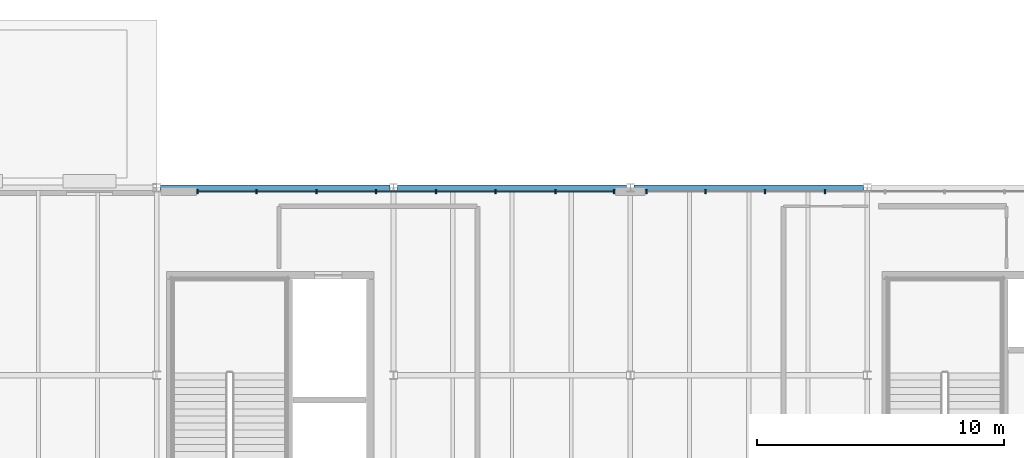
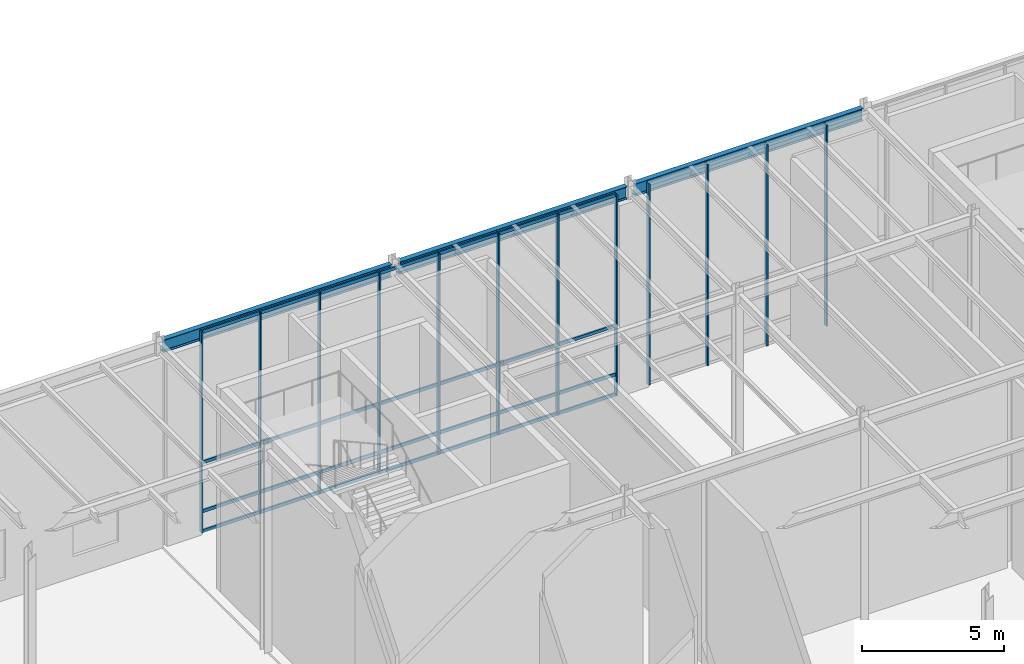
# One storey, part 19 of 48: 16 members, 3 beams, 2 elements without a shape of their own.
"""IFC4 building model written with IfcOpenShell, lengths in metres."""

import ifcopenshell
import ifcopenshell.guid

model = None  # the IFC model being written
_history = None  # IfcOwnerHistory: only IFC2X3 demands one
_inside = {}  # id of a spatial element -> (the spatial element, [elements in it])
_under = {}  # id of a project, library or spatial element -> (it, [spatial elements below it])
_declared = {}  # id of a project -> (the project, [libraries it declares])
_typed = {}  # id of a type object -> (the type object, [elements of that type])
_made_of = {}  # id of a material, layer set ... -> (it, [elements and type objects made of it])


def new_model(schema):
    """Start an empty IFC model of exactly this schema.

    Asked for "IFC4X3", IfcOpenShell would pick the latest addendum, in which some entities
    have other attributes; the version numbers below select the first issue.
    IFC2X3 requires an IfcOwnerHistory on every rooted entity: one is made here for all.
    """
    global model, _history
    if schema == "IFC4X3":
        model = ifcopenshell.file(schema_version=(4, 3, 0, 0))
    else:
        model = ifcopenshell.file(schema=schema)
    _inside.clear()
    _under.clear()
    _declared.clear()
    _typed.clear()
    _made_of.clear()
    _history = None
    if model.schema == "IFC2X3":
        org = make("IfcOrganization", Name="unknown")
        user = make(
            "IfcPersonAndOrganization",
            ThePerson=make("IfcPerson", FamilyName="unknown"),
            TheOrganization=org,
        )
        app = make(
            "IfcApplication",
            ApplicationDeveloper=org,
            Version="unknown",
            ApplicationFullName="unknown",
            ApplicationIdentifier="unknown",
        )
        _history = make(
            "IfcOwnerHistory",
            OwningUser=user,
            OwningApplication=app,
            ChangeAction="ADDED",
            CreationDate=0,
        )
    return model


def make(cls, **values):
    """One entity of the class cls with the attributes given. An attribute that is None is left unset."""
    return model.create_entity(
        cls, **{name: value for name, value in values.items() if value is not None}
    )


def rooted(cls, **values):
    """An entity with a GlobalId (a new one), such as an element, a storey or a relation."""
    return make(cls, GlobalId=ifcopenshell.guid.new(), OwnerHistory=_history, **values)


def si_unit(unit_type, name, prefix=None):
    """IfcSIUnit, for example si_unit("LENGTHUNIT", "METRE", prefix="MILLI")."""
    return make("IfcSIUnit", UnitType=unit_type, Prefix=prefix, Name=name)


def assignment(units):
    """IfcUnitAssignment: the units of a project."""
    return None if units is None else make("IfcUnitAssignment", Units=units)


def point(xyz):
    """IfcCartesianPoint."""
    return None if xyz is None else make("IfcCartesianPoint", Coordinates=xyz)


def direction(xyz):
    """IfcDirection."""
    return None if xyz is None else make("IfcDirection", DirectionRatios=xyz)


def frame(location, z_axis=None, x_axis=None):
    """IfcAxis2Placement3D, a coordinate frame: its origin and axes. An axis left out is left unset."""
    return make(
        "IfcAxis2Placement3D",
        Location=point(location),
        Axis=direction(z_axis),
        RefDirection=direction(x_axis),
    )


def frame_2d(location, x_axis=None):
    """IfcAxis2Placement2D, a coordinate frame in the plane: its origin and x axis."""
    return make(
        "IfcAxis2Placement2D", Location=point(location), RefDirection=direction(x_axis)
    )


def origin():
    """The frame at (0, 0, 0) with its axes left unset."""
    return frame((0.0, 0.0, 0.0))


def origin_2d():
    """The frame at (0, 0) in the plane with its x axis left unset."""
    return frame_2d((0.0, 0.0))


def place(relative_to, where):
    """IfcLocalPlacement: puts the frame where relative to a parent placement (None: the world)."""
    return make(
        "IfcLocalPlacement", PlacementRelTo=relative_to, RelativePlacement=where
    )


def context(
    kind, dimensions, precision=None, world=None, true_north=None, identifier=None
):
    """IfcGeometricRepresentationContext, for example the 3D "Model" context."""
    return make(
        "IfcGeometricRepresentationContext",
        ContextIdentifier=identifier,
        ContextType=kind,
        CoordinateSpaceDimension=dimensions,
        Precision=precision,
        WorldCoordinateSystem=world,
        TrueNorth=true_north,
    )


def subcontext(parent, identifier, kind, view, scale=None):
    """IfcGeometricRepresentationSubContext, for example "Body" below "Model"."""
    return make(
        "IfcGeometricRepresentationSubContext",
        ContextIdentifier=identifier,
        ContextType=kind,
        ParentContext=parent,
        TargetScale=scale,
        TargetView=view,
    )


def project(units=None, contexts=None):
    """IfcProject with its units and contexts."""
    return rooted(
        "IfcProject",
        Name="project",
        RepresentationContexts=contexts,
        UnitsInContext=assignment(units),
    )


def spatial(cls, under=None, at=None, **own):
    """A site, building, storey or space (cls), placed at a placement, below another one or the project."""
    s = rooted(cls, ObjectPlacement=at, **own)
    if under is not None:
        _under.setdefault(under.id(), (under, []))[1].append(s)
    return s


def profile(cls, at=None, kind="AREA", **sizes):
    """A parametric profile (cls). Its sizes go by their IFC names, for example OverallWidth=200.0."""
    return make(cls, ProfileType=kind, Position=at, **sizes)


def rectangle(**sizes):
    """IfcRectangleProfileDef."""
    return profile("IfcRectangleProfileDef", **sizes)


def i_section(**sizes):
    """IfcIShapeProfileDef."""
    return profile("IfcIShapeProfileDef", **sizes)


def extrude(swept, where, along, depth):
    """IfcExtrudedAreaSolid: the profile swept, set in the frame where, extruded along a direction by depth."""
    return make(
        "IfcExtrudedAreaSolid",
        SweptArea=swept,
        Position=where,
        ExtrudedDirection=direction(along),
        Depth=depth,
    )


def shape(context_of_items, identifier, shape_type, items):
    """IfcShapeRepresentation: the items that make up one representation, for example the "Body"."""
    return make(
        "IfcShapeRepresentation",
        ContextOfItems=context_of_items,
        RepresentationIdentifier=identifier,
        RepresentationType=shape_type,
        Items=items,
    )


def material(Name=None, Category=None):
    """IfcMaterial."""
    return make("IfcMaterial", Name=Name, Category=Category)


def material_profile(
    of_material, cross_section, Name=None, Category=None, Priority=None
):
    """IfcMaterialProfile: a cross section and its material."""
    return make(
        "IfcMaterialProfile",
        Name=Name,
        Material=of_material,
        Profile=cross_section,
        Priority=Priority,
        Category=Category,
    )


def profile_set(profiles, Name=None, composite=None):
    """IfcMaterialProfileSet."""
    return make(
        "IfcMaterialProfileSet",
        Name=Name,
        MaterialProfiles=profiles,
        CompositeProfile=composite,
    )


def made_of(thing, what):
    """Note that an element or type object is made of a material, layer set ...; save() writes the relation."""
    if what is not None:
        _made_of.setdefault(what.id(), (what, []))[1].append(thing)
    return thing


def type_object(cls, material=None, **own):
    """A type object (cls), such as IfcWallType, which elements share."""
    return made_of(rooted(cls, **own), material)


def element(
    cls,
    number,
    at=None,
    inside=None,
    cuts=None,
    type_object=None,
    material=None,
    context=None,
    identifier="Body",
    shape_type=None,
    held_by="IfcProductDefinitionShape",
    body=None,
    shapes=None,
    **own,
):
    """One element of the class cls, such as IfcWall. Its Tag is "e" and its number.

    at: its placement. inside: the storey or other place that contains it. cuts: it is an
    opening in that element (IfcRelVoidsElement). A single representation is given by context,
    identifier, shape_type and body (its items); several are given by shapes. held_by: the class
    of the entity that holds the representations. save() writes the other relations.
    """
    e = rooted(cls, Tag="e%d" % number, ObjectPlacement=at, **own)
    if body is not None:
        shapes = [shape(context, identifier, shape_type, body)]
    if shapes is not None:
        e.Representation = make(held_by, Representations=shapes)
    if inside is not None:
        _inside.setdefault(inside.id(), (inside, []))[1].append(e)
    if cuts is not None:
        rooted(
            "IfcRelVoidsElement", RelatingBuildingElement=cuts, RelatedOpeningElement=e
        )
    if type_object is not None:
        _typed.setdefault(type_object.id(), (type_object, []))[1].append(e)
    return made_of(e, material)


def aggregate(whole, parts):
    """IfcRelAggregates: a whole, such as a stair, and the parts it consists of."""
    return rooted("IfcRelAggregates", RelatingObject=whole, RelatedObjects=parts)


def save(model, path):
    """Write the relations noted so far, then the file.

    IfcRelAggregates (storeys below a building ...), IfcRelContainedInSpatialStructure (elements
    in a storey), IfcRelDefinesByType, IfcRelAssociatesMaterial and IfcRelDeclares: one each for
    every whole, place, type object, material and project.
    """
    for whole, parts in _under.values():
        aggregate(whole, parts)
    for where, things in _inside.values():
        rooted(
            "IfcRelContainedInSpatialStructure",
            RelatedElements=things,
            RelatingStructure=where,
        )
    for kind, things in _typed.values():
        rooted("IfcRelDefinesByType", RelatedObjects=things, RelatingType=kind)
    for what, things in _made_of.values():
        rooted("IfcRelAssociatesMaterial", RelatedObjects=things, RelatingMaterial=what)
    for by, libraries in _declared.values():
        rooted("IfcRelDeclares", RelatingContext=by, RelatedDefinitions=libraries)
    model.write(path)


model = new_model("IFC4")

# Units and contexts
model_context = context("Model", 3, precision=1e-05, world=origin(), true_north=direction((0.0, 1.0)))
body_context = subcontext(model_context, "Body", "Model", "MODEL_VIEW")
ifc_project = project(units=[si_unit("LENGTHUNIT", "METRE"), si_unit("AREAUNIT", "SQUARE_METRE"), si_unit("VOLUMEUNIT", "CUBIC_METRE"), si_unit("PLANEANGLEUNIT", "RADIAN"), si_unit("MASSUNIT", "GRAM", prefix="KILO")], contexts=[model_context])

# Site, building, storey
site_placement = place(None, origin())
site = spatial("IfcSite", under=ifc_project, at=site_placement, CompositionType="ELEMENT")
building_placement = place(site_placement, origin())
building = spatial("IfcBuilding", under=site, at=building_placement, Name="Sarnbrook Museum", CompositionType="ELEMENT")
storey_placement = place(building_placement, frame((0.0, 0.0, 19.10009765625)))
storey = spatial("IfcBuildingStorey", under=building, at=storey_placement, Name="L04", CompositionType="ELEMENT", Elevation=19.10009765625)

# Beams
ifc_material_1 = material(Name="Structural Steel Grade 300PLUS (AS/NZS 3679.1, fy = 280 MPa for 17 < t <= 40 mm, 300 MPa for t <= 17 mm)", Category="steel")
ifc_material_profile_1 = material_profile(ifc_material_1, i_section(OverallWidth=0.208984375, OverallDepth=0.532958984375, WebThickness=0.01025390625, FlangeThickness=0.015625, FilletRadius=0.013916015625, at=origin_2d()), Name="530UB92.4")
ifc_profile_set_1 = profile_set([ifc_material_profile_1], Name="Structural Steel Grade 300PLUS (AS/NZS 3679.1, fy = 280 MPa for 17 < t <= 40 mm, 300 MPa for t <= 17 mm)")
beam_type = type_object("IfcBeamType", Name="BM-UB530", PredefinedType="BEAM", material=ifc_profile_set_1)
for number, where, z_axis, x_axis, name in (
    (1, (80.95361328125, 108.39990234375, 8.4833984375), (1.0, 0.0, 0.0), (0.0, 1.0, 0.0), "Girder N:9-10 L04"),
    (2, (90.553466796875, 108.39990234375, 8.4833984375), (1.0, 0.0, 0.0), (0.0, 1.0, 0.0), "Girder N:10-11 L04"),
    (3, (100.153564453125, 108.39990234375, 8.4833984375), (1.0, 0.0, 0.0), (0.0, 1.0, 0.0), "Girder N:11-12 L04"),
):
    element("IfcBeam", number, at=place(storey_placement, frame(where, z_axis=z_axis, x_axis=x_axis)), inside=storey, type_object=beam_type, Name=name, PredefinedType="BEAM", context=body_context, shape_type="SweptSolid", body=[
        extrude(i_section(OverallWidth=0.208984375, OverallDepth=0.532958984375, WebThickness=0.01025390625, FlangeThickness=0.015625, FilletRadius=0.013916015625, at=origin_2d()), origin(), (0.0, 0.0, 1.0), 9.29296875),
    ])

# Curtain wall, members
ifc_material_2 = material(Name="Thermally Broken Anodised Aluminium 6063-T6", Category="aluminium")
curtain_wall_type = type_object("IfcCurtainWallType", Name="CurtainWall_GalleryRibbon", PredefinedType="NOTDEFINED", material=ifc_material_2)
curtain_wall_1_placement = place(storey_placement, origin())
curtain_wall_1 = element("IfcCurtainWall", 4, at=curtain_wall_1_placement, inside=storey, type_object=curtain_wall_type, Name="Gallery Ribbon Curtain Wall L04-10.1", PredefinedType="NOTDEFINED")
ifc_material_profile_2 = material_profile(ifc_material_2, rectangle(XDim=0.06005859375, YDim=0.159912109375, at=origin_2d()), Name="ALU MULLION 60x160")
ifc_profile_set_2 = profile_set([ifc_material_profile_2], Name="Thermally Broken Anodised Aluminium 6063-T6")
member_type_1 = type_object("IfcMemberType", Name="CW_Mullion_150x65", PredefinedType="MULLION", material=ifc_profile_set_2)
member_1_placement = place(storey_placement, frame((107.888671875, 108.239990234375, 0.0), z_axis=(0.0, 0.0, 1.0), x_axis=(1.0, 0.0, 0.0)))
member_1 = element("IfcMember", 5, at=member_1_placement, type_object=member_type_1, Name="Gallery Ribbon Curtain Wall L04-10.1 Mullion 5", PredefinedType="MULLION", context=body_context, shape_type="SweptSolid", body=[
    extrude(rectangle(XDim=0.06005859375, YDim=0.159912109375, at=origin_2d()), origin(), (0.0, 0.0, 1.0), 8.659912109375),
])
member_2_placement = place(storey_placement, frame((105.4658203125, 108.239990234375, 0.0), z_axis=(0.0, 0.0, 1.0), x_axis=(1.0, 0.0, 0.0)))
member_2 = element("IfcMember", 6, at=member_2_placement, type_object=member_type_1, Name="Gallery Ribbon Curtain Wall L04-10.1 Mullion 6", PredefinedType="MULLION", context=body_context, shape_type="SweptSolid", body=[
    extrude(rectangle(XDim=0.06005859375, YDim=0.159912109375, at=origin_2d()), origin(), (0.0, 0.0, 1.0), 8.659912109375),
])
member_3_placement = place(storey_placement, frame((103.04296875, 108.239990234375, 0.0), z_axis=(0.0, 0.0, 1.0), x_axis=(1.0, 0.0, 0.0)))
member_3 = element("IfcMember", 7, at=member_3_placement, type_object=member_type_1, Name="Gallery Ribbon Curtain Wall L04-10.1 Mullion 7", PredefinedType="MULLION", context=body_context, shape_type="SweptSolid", body=[
    extrude(rectangle(XDim=0.06005859375, YDim=0.159912109375, at=origin_2d()), origin(), (0.0, 0.0, 1.0), 8.659912109375),
])
member_4_placement = place(storey_placement, frame((100.659912109375, 108.239990234375, 0.0), z_axis=(0.0, 0.0, 1.0), x_axis=(1.0, 0.0, 0.0)))
member_4 = element("IfcMember", 8, at=member_4_placement, type_object=member_type_1, Name="Gallery Ribbon Curtain Wall L04-10.1 Mullion 8", PredefinedType="MULLION", context=body_context, shape_type="SweptSolid", body=[
    extrude(rectangle(XDim=0.06005859375, YDim=0.159912109375, at=origin_2d()), origin(), (0.0, 0.0, 1.0), 8.659912109375),
])
aggregate(curtain_wall_1, [member_1, member_2, member_3, member_4])

curtain_wall_2_placement = place(storey_placement, origin())
curtain_wall_2 = element("IfcCurtainWall", 9, at=curtain_wall_2_placement, inside=storey, type_object=curtain_wall_type, Name="Gallery Ribbon Curtain Wall L04-10.2", PredefinedType="NOTDEFINED")
member_5_placement = place(storey_placement, frame((99.340087890625, 108.239990234375, 0.0), z_axis=(0.0, 0.0, 1.0), x_axis=(1.0, 0.0, 0.0)))
member_5 = element("IfcMember", 10, at=member_5_placement, type_object=member_type_1, Name="Gallery Ribbon Curtain Wall L04-10.2 Mullion 1", PredefinedType="MULLION", context=body_context, shape_type="SweptSolid", body=[
    extrude(rectangle(XDim=0.06005859375, YDim=0.159912109375, at=origin_2d()), origin(), (0.0, 0.0, 1.0), 8.659912109375),
])
member_6_placement = place(storey_placement, frame((96.95703125, 108.239990234375, 0.0), z_axis=(0.0, 0.0, 1.0), x_axis=(1.0, 0.0, 0.0)))
member_6 = element("IfcMember", 11, at=member_6_placement, type_object=member_type_1, Name="Gallery Ribbon Curtain Wall L04-10.2 Mullion 2", PredefinedType="MULLION", context=body_context, shape_type="SweptSolid", body=[
    extrude(rectangle(XDim=0.06005859375, YDim=0.159912109375, at=origin_2d()), origin(), (0.0, 0.0, 1.0), 8.659912109375),
])
member_7_placement = place(storey_placement, frame((94.5341796875, 108.239990234375, 0.0), z_axis=(0.0, 0.0, 1.0), x_axis=(1.0, 0.0, 0.0)))
member_7 = element("IfcMember", 12, at=member_7_placement, type_object=member_type_1, Name="Gallery Ribbon Curtain Wall L04-10.2 Mullion 3", PredefinedType="MULLION", context=body_context, shape_type="SweptSolid", body=[
    extrude(rectangle(XDim=0.06005859375, YDim=0.159912109375, at=origin_2d()), origin(), (0.0, 0.0, 1.0), 8.659912109375),
])
member_8_placement = place(storey_placement, frame((92.111328125, 108.239990234375, 0.0), z_axis=(0.0, 0.0, 1.0), x_axis=(1.0, 0.0, 0.0)))
member_8 = element("IfcMember", 13, at=member_8_placement, type_object=member_type_1, Name="Gallery Ribbon Curtain Wall L04-10.2 Mullion 4", PredefinedType="MULLION", context=body_context, shape_type="SweptSolid", body=[
    extrude(rectangle(XDim=0.06005859375, YDim=0.159912109375, at=origin_2d()), origin(), (0.0, 0.0, 1.0), 8.659912109375),
])
member_9_placement = place(storey_placement, frame((89.688720703125, 108.239990234375, 0.0), z_axis=(0.0, 0.0, 1.0), x_axis=(1.0, 0.0, 0.0)))
member_9 = element("IfcMember", 14, at=member_9_placement, type_object=member_type_1, Name="Gallery Ribbon Curtain Wall L04-10.2 Mullion 5", PredefinedType="MULLION", context=body_context, shape_type="SweptSolid", body=[
    extrude(rectangle(XDim=0.06005859375, YDim=0.159912109375, at=origin_2d()), origin(), (0.0, 0.0, 1.0), 8.659912109375),
])
member_10_placement = place(storey_placement, frame((87.265625, 108.239990234375, 0.0), z_axis=(0.0, 0.0, 1.0), x_axis=(1.0, 0.0, 0.0)))
member_10 = element("IfcMember", 15, at=member_10_placement, type_object=member_type_1, Name="Gallery Ribbon Curtain Wall L04-10.2 Mullion 6", PredefinedType="MULLION", context=body_context, shape_type="SweptSolid", body=[
    extrude(rectangle(XDim=0.06005859375, YDim=0.159912109375, at=origin_2d()), origin(), (0.0, 0.0, 1.0), 8.659912109375),
])
member_11_placement = place(storey_placement, frame((84.843017578125, 108.239990234375, 0.0), z_axis=(0.0, 0.0, 1.0), x_axis=(1.0, 0.0, 0.0)))
member_11 = element("IfcMember", 16, at=member_11_placement, type_object=member_type_1, Name="Gallery Ribbon Curtain Wall L04-10.2 Mullion 7", PredefinedType="MULLION", context=body_context, shape_type="SweptSolid", body=[
    extrude(rectangle(XDim=0.06005859375, YDim=0.159912109375, at=origin_2d()), origin(), (0.0, 0.0, 1.0), 8.659912109375),
])
member_12_placement = place(storey_placement, frame((82.4599609375, 108.239990234375, 0.0), z_axis=(0.0, 0.0, 1.0), x_axis=(1.0, 0.0, 0.0)))
member_12 = element("IfcMember", 17, at=member_12_placement, type_object=member_type_1, Name="Gallery Ribbon Curtain Wall L04-10.2 Mullion 8", PredefinedType="MULLION", context=body_context, shape_type="SweptSolid", body=[
    extrude(rectangle(XDim=0.06005859375, YDim=0.159912109375, at=origin_2d()), origin(), (0.0, 0.0, 1.0), 8.659912109375),
])
ifc_material_profile_3 = material_profile(ifc_material_2, rectangle(XDim=0.06494140625, YDim=0.139892578125, at=origin_2d()), Name="ALU TRANSOM 65x140")
ifc_profile_set_3 = profile_set([ifc_material_profile_3], Name="Thermally Broken Anodised Aluminium 6063-T6")
member_type_2 = type_object("IfcMemberType", Name="CW_Transom_150x65", PredefinedType="USERDEFINED", material=ifc_profile_set_3)
member_13_placement = place(storey_placement, frame((99.330078125, 108.239990234375, 0.039794921875), z_axis=(-1.0, 0.0, 0.0), x_axis=(0.0, -1.0, 0.0)))
member_13 = element("IfcMember", 18, at=member_13_placement, type_object=member_type_2, Name="Gallery Ribbon Curtain Wall L04-10.2 Transom 1", ObjectType="TRANSOM", PredefinedType="USERDEFINED", context=body_context, shape_type="SweptSolid", body=[
    extrude(rectangle(XDim=0.06494140625, YDim=0.139892578125, at=origin_2d()), origin(), (0.0, 0.0, 1.0), 16.860107421875),
])
member_14_placement = place(storey_placement, frame((99.330078125, 108.239990234375, 0.89990234375), z_axis=(-1.0, 0.0, 0.0), x_axis=(0.0, -1.0, 0.0)))
member_14 = element("IfcMember", 19, at=member_14_placement, type_object=member_type_2, Name="Gallery Ribbon Curtain Wall L04-10.2 Transom 2", ObjectType="TRANSOM", PredefinedType="USERDEFINED", context=body_context, shape_type="SweptSolid", body=[
    extrude(rectangle(XDim=0.06494140625, YDim=0.139892578125, at=origin_2d()), origin(), (0.0, 0.0, 1.0), 16.860107421875),
])
member_15_placement = place(storey_placement, frame((99.330078125, 108.239990234375, 3.0), z_axis=(-1.0, 0.0, 0.0), x_axis=(0.0, -1.0, 0.0)))
member_15 = element("IfcMember", 20, at=member_15_placement, type_object=member_type_2, Name="Gallery Ribbon Curtain Wall L04-10.2 Transom 3", ObjectType="TRANSOM", PredefinedType="USERDEFINED", context=body_context, shape_type="SweptSolid", body=[
    extrude(rectangle(XDim=0.06494140625, YDim=0.139892578125, at=origin_2d()), origin(), (0.0, 0.0, 1.0), 16.860107421875),
])
member_16_placement = place(storey_placement, frame((99.330078125, 108.239990234375, 8.619873046875), z_axis=(-1.0, 0.0, 0.0), x_axis=(0.0, -1.0, 0.0)))
member_16 = element("IfcMember", 21, at=member_16_placement, type_object=member_type_2, Name="Gallery Ribbon Curtain Wall L04-10.2 Transom 4", ObjectType="TRANSOM", PredefinedType="USERDEFINED", context=body_context, shape_type="SweptSolid", body=[
    extrude(rectangle(XDim=0.06494140625, YDim=0.139892578125, at=origin_2d()), origin(), (0.0, 0.0, 1.0), 16.860107421875),
])
aggregate(curtain_wall_2, [member_5, member_6, member_7, member_8, member_9, member_10, member_11, member_12, member_13, member_14, member_15, member_16])

save(model, "model.ifc")
